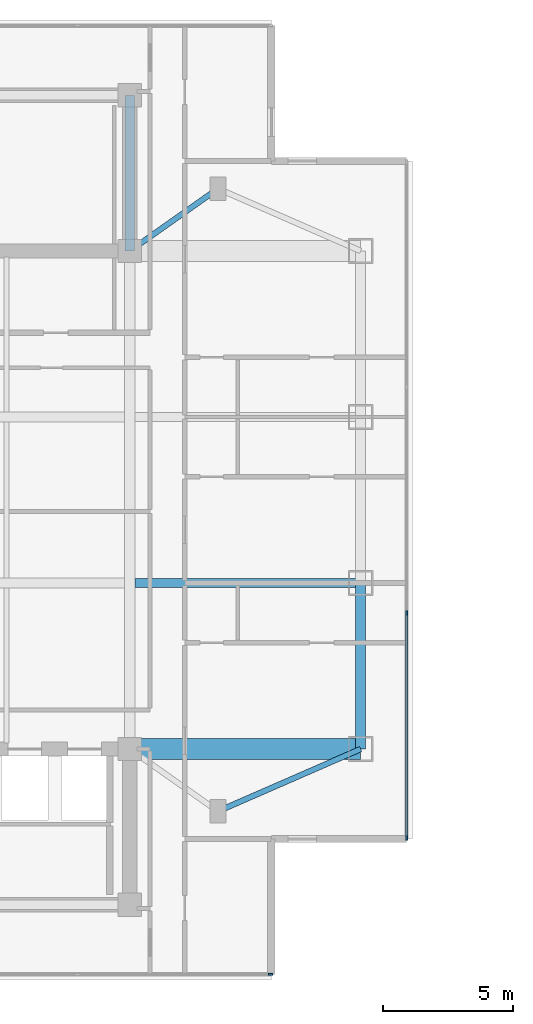
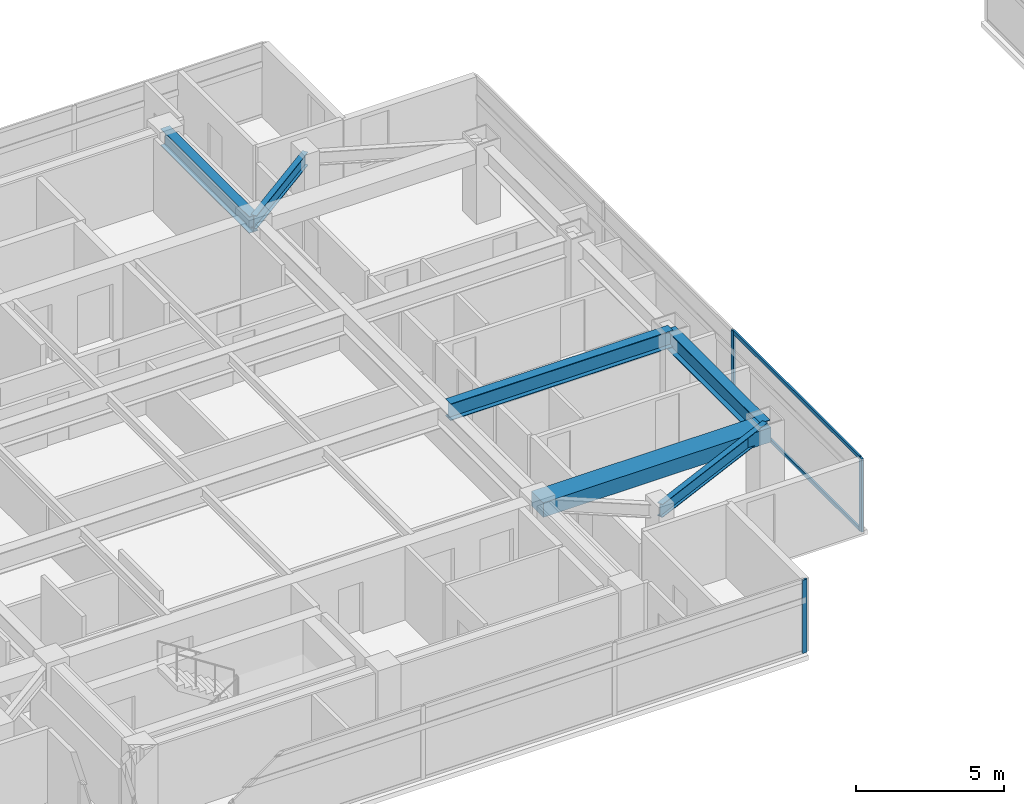
# One storey, part 4 of 24: 6 beams, 5 members, 2 elements without a shape of their own.
"""IFC4 building model written with IfcOpenShell, lengths in metres."""

from ifc_helpers import new_model, si_unit, direction, frame, origin, origin_2d, place, context, subcontext, project, spatial, rectangle, i_section, extrude, material, material_profile, profile_set, type_object, element, aggregate, save


model = new_model("IFC4")

# Units and contexts
model_context = context("Model", 3, precision=1e-05, world=origin(), true_north=direction((0.0, 1.0)))
body_context = subcontext(model_context, "Body", "Model", "MODEL_VIEW")
ifc_project = project(units=[si_unit("LENGTHUNIT", "METRE"), si_unit("AREAUNIT", "SQUARE_METRE"), si_unit("VOLUMEUNIT", "CUBIC_METRE"), si_unit("PLANEANGLEUNIT", "RADIAN"), si_unit("MASSUNIT", "GRAM", prefix="KILO")], contexts=[model_context])

# Site, building, storey
site_placement = place(None, origin())
site = spatial("IfcSite", under=ifc_project, at=site_placement, CompositionType="ELEMENT")
building_placement = place(site_placement, origin())
building = spatial("IfcBuilding", under=site, at=building_placement, Name="Mirazonda Arch Towers", CompositionType="ELEMENT")
storey_placement = place(building_placement, frame((0.0, 0.0, 193.39990234375)))
storey = spatial("IfcBuildingStorey", under=building, at=storey_placement, Name="L55", CompositionType="ELEMENT", Elevation=193.39990234375)

# Beams
ifc_material_1 = material(Name="Steel ASTM A992 Grade 50", Category="steel")
ifc_material_profile_1 = material_profile(ifc_material_1, i_section(OverallWidth=0.381103515625, OverallDepth=0.77294921875, WebThickness=0.0166015625, FlangeThickness=0.027099609375, at=origin_2d()), Name="W30X173")
ifc_profile_set_1 = profile_set([ifc_material_profile_1], Name="Steel ASTM A992 Grade 50")
beam_type_1 = type_object("IfcBeamType", Name="BM-EXT-W30X173", PredefinedType="USERDEFINED", material=ifc_profile_set_1)
beam_1_placement = place(storey_placement, frame((38.89990234375, 18.39990234375, 2.66357421875), z_axis=(0.0, 1.0, 0.0), x_axis=(-1.0, 0.0, 0.0)))
element("IfcBeam", 1, at=beam_1_placement, inside=storey, type_object=beam_type_1, Name="L55 Floor Beam BM-T1-L55-NS-E-18", ObjectType="GIRDER", PredefinedType="USERDEFINED", context=body_context, shape_type="SweptSolid", body=[
    extrude(i_section(OverallWidth=0.381103515625, OverallDepth=0.77294921875, WebThickness=0.0166015625, FlangeThickness=0.027099609375, at=origin_2d()), origin(), (0.0, 0.0, 1.0), 6.400146484375),
])
ifc_material_profile_2 = material_profile(ifc_material_1, i_section(OverallWidth=0.214111328125, OverallDepth=0.549072265625, WebThickness=0.0146484375, FlangeThickness=0.023681640625, at=origin_2d()), Name="W21X93")
ifc_profile_set_2 = profile_set([ifc_material_profile_2], Name="Steel ASTM A992 Grade 50")
beam_type_2 = type_object("IfcBeamType", Name="BM-INT-W21X93", PredefinedType="BEAM", material=ifc_profile_set_2)
beam_2_placement = place(storey_placement, frame((33.39990234375, 16.0, 2.775634765625), z_axis=(0.916545343703, 0.399930785183, 0.0), x_axis=(-0.399930785183, 0.916545343703, 0.0)))
element("IfcBeam", 2, at=beam_2_placement, inside=storey, type_object=beam_type_2, Name="L55 Floor Beam BM-T1-L55-PL-SE2", PredefinedType="BEAM", context=body_context, shape_type="SweptSolid", body=[
    extrude(i_section(OverallWidth=0.214111328125, OverallDepth=0.549072265625, WebThickness=0.0146484375, FlangeThickness=0.023681640625, at=origin_2d()), origin(), (0.0, 0.0, 1.0), 6.000732421875),
])
beam_3_placement = place(storey_placement, frame((33.39990234375, 40.0, 2.775634765625), z_axis=(-0.816971114901, -0.576678591087, 0.0), x_axis=(0.576678591087, -0.816971114901, 0.0)))
element("IfcBeam", 3, at=beam_3_placement, inside=storey, type_object=beam_type_2, Name="L55 Floor Beam BM-T1-L55-PL-NE1", PredefinedType="BEAM", context=body_context, shape_type="SweptSolid", body=[
    extrude(i_section(OverallWidth=0.214111328125, OverallDepth=0.549072265625, WebThickness=0.0146484375, FlangeThickness=0.023681640625, at=origin_2d()), origin(), (0.0, 0.0, 1.0), 4.16162109375),
])
ifc_material_profile_3 = material_profile(ifc_material_1, i_section(OverallWidth=0.35498046875, OverallDepth=0.696044921875, WebThickness=0.015380859375, FlangeThickness=0.02490234375, at=origin_2d()), Name="W27X146")
ifc_profile_set_3 = profile_set([ifc_material_profile_3], Name="Steel ASTM A992 Grade 50")
beam_type_3 = type_object("IfcBeamType", Name="BM-INT-W27X146", PredefinedType="BEAM", material=ifc_profile_set_3)
beam_4_placement = place(storey_placement, frame((30.199951171875, 24.800048828125, 2.7021484375), z_axis=(1.0, 0.0, 0.0), x_axis=(0.0, 1.0, 0.0)))
element("IfcBeam", 4, at=beam_4_placement, inside=storey, type_object=beam_type_3, Name="L55 Floor Beam BM-T1-L55-GE2", PredefinedType="BEAM", context=body_context, shape_type="SweptSolid", body=[
    extrude(i_section(OverallWidth=0.35498046875, OverallDepth=0.696044921875, WebThickness=0.015380859375, FlangeThickness=0.02490234375, at=origin_2d()), origin(), (0.0, 0.0, 1.0), 8.699951171875),
])
beam_5_placement = place(storey_placement, frame((30.0, 37.60009765625, 2.7021484375), z_axis=(0.0, 1.0, 0.0), x_axis=(-1.0, 0.0, 0.0)))
element("IfcBeam", 5, at=beam_5_placement, inside=storey, type_object=beam_type_3, Name="L55 Floor Beam BM-T1-L55-CNE", PredefinedType="BEAM", context=body_context, shape_type="SweptSolid", body=[
    extrude(i_section(OverallWidth=0.35498046875, OverallDepth=0.696044921875, WebThickness=0.015380859375, FlangeThickness=0.02490234375, at=origin_2d()), origin(), (0.0, 0.0, 1.0), 6.0),
])
ifc_material_2 = material(Name="Concrete C60/75", Category="concrete")
ifc_material_profile_4 = material_profile(ifc_material_2, rectangle(XDim=0.800048828125, YDim=0.60009765625, at=origin_2d()), Name="RCCB800x600")
ifc_profile_set_4 = profile_set([ifc_material_profile_4], Name="Concrete C60/75")
beam_type_4 = type_object("IfcBeamType", Name="CB-INT-RCCB800x600", PredefinedType="SPANDREL", material=ifc_profile_set_4)
beam_6_placement = place(storey_placement, frame((30.0, 18.39990234375, 2.75), z_axis=(1.0, 0.0, 0.0), x_axis=(0.0, 1.0, 0.0)))
element("IfcBeam", 6, at=beam_6_placement, inside=storey, type_object=beam_type_4, Name="L55 Floor Beam CBC-T1-L55-SE", PredefinedType="SPANDREL", context=body_context, shape_type="SweptSolid", body=[
    extrude(rectangle(XDim=0.800048828125, YDim=0.60009765625, at=origin_2d()), origin(), (0.0, 0.0, 1.0), 8.89990234375),
])

# Curtain wall, member
ifc_material_3 = material(Name="Anodised Aluminium and Low-E Glass", Category="aluminium")
curtain_wall_type = type_object("IfcCurtainWallType", Name="CW-RES-UNIT", PredefinedType="NOTDEFINED", material=ifc_material_3)
curtain_wall_1_placement = place(storey_placement, origin())
curtain_wall_1 = element("IfcCurtainWall", 7, at=curtain_wall_1_placement, inside=storey, type_object=curtain_wall_type, Name="L55 T1 S Facade CW-L55-T1-S", PredefinedType="NOTDEFINED")
ifc_material_4 = material(Name="Anodised Aluminium Alloy", Category="aluminium")
ifc_material_profile_5 = material_profile(ifc_material_4, rectangle(XDim=0.074951171875, YDim=0.175048828125, at=origin_2d()), Name="ALU-MULL-75x175")
ifc_profile_set_5 = profile_set([ifc_material_profile_5], Name="Anodised Aluminium Alloy")
member_type_1 = type_object("IfcMemberType", Name="MULL-CW-RES-UNIT", PredefinedType="MULLION", material=ifc_profile_set_5)
member_1_placement = place(storey_placement, frame((35.41748046875, 9.716064453125, 0.0), z_axis=(0.0, 0.0, 1.0), x_axis=(0.0, -1.0, 0.0)))
member_1 = element("IfcMember", 8, at=member_1_placement, type_object=member_type_1, Name="CW-104 mullion 1", PredefinedType="MULLION", context=body_context, shape_type="SweptSolid", body=[
    extrude(rectangle(XDim=0.074951171875, YDim=0.175048828125, at=origin_2d()), origin(), (0.0, 0.0, 1.0), 3.030029296875),
])
aggregate(curtain_wall_1, [member_1])

# Curtain wall, members
curtain_wall_2_placement = place(storey_placement, origin())
curtain_wall_2 = element("IfcCurtainWall", 9, at=curtain_wall_2_placement, inside=storey, type_object=curtain_wall_type, Name="L55 T1 E Facade CW-L55-T1-E", PredefinedType="NOTDEFINED")
member_2_placement = place(storey_placement, frame((40.669921875, 14.968505859375, 0.0), z_axis=(0.0, 0.0, 1.0), x_axis=(-1.0, 0.0, 0.0)))
member_2 = element("IfcMember", 10, at=member_2_placement, type_object=member_type_1, Name="CW-104 mullion 1", PredefinedType="MULLION", context=body_context, shape_type="SweptSolid", body=[
    extrude(rectangle(XDim=0.074951171875, YDim=0.175048828125, at=origin_2d()), origin(), (0.0, 0.0, 1.0), 3.030029296875),
])
member_3_placement = place(storey_placement, frame((40.669921875, 23.6435546875, 0.0), z_axis=(0.0, 0.0, 1.0), x_axis=(-1.0, 0.0, 0.0)))
member_3 = element("IfcMember", 11, at=member_3_placement, type_object=member_type_1, Name="CW-104 mullion 2", PredefinedType="MULLION", context=body_context, shape_type="SweptSolid", body=[
    extrude(rectangle(XDim=0.074951171875, YDim=0.175048828125, at=origin_2d()), origin(), (0.0, 0.0, 1.0), 3.030029296875),
])
ifc_material_profile_6 = material_profile(ifc_material_4, rectangle(XDim=0.074951171875, YDim=0.155029296875, at=origin_2d()), Name="ALU-TRAN-75x155")
ifc_profile_set_6 = profile_set([ifc_material_profile_6], Name="Anodised Aluminium Alloy")
member_type_2 = type_object("IfcMemberType", Name="TRAN-CW-RES-UNIT", PredefinedType="USERDEFINED", material=ifc_profile_set_6)
member_4_placement = place(storey_placement, frame((40.669921875, 15.006103515625, 0.03759765625), z_axis=(0.0, 1.0, 0.0), x_axis=(-1.0, 0.0, 0.0)))
member_4 = element("IfcMember", 12, at=member_4_placement, type_object=member_type_2, Name="CW-104 transom 1.1", ObjectType="TRANSOM", PredefinedType="USERDEFINED", context=body_context, shape_type="SweptSolid", body=[
    extrude(rectangle(XDim=0.074951171875, YDim=0.155029296875, at=origin_2d()), origin(), (0.0, 0.0, 1.0), 8.60009765625),
])
member_5_placement = place(storey_placement, frame((40.669921875, 15.006103515625, 2.99267578125), z_axis=(0.0, 1.0, 0.0), x_axis=(-1.0, 0.0, 0.0)))
member_5 = element("IfcMember", 13, at=member_5_placement, type_object=member_type_2, Name="CW-104 transom 1.2", ObjectType="TRANSOM", PredefinedType="USERDEFINED", context=body_context, shape_type="SweptSolid", body=[
    extrude(rectangle(XDim=0.074951171875, YDim=0.155029296875, at=origin_2d()), origin(), (0.0, 0.0, 1.0), 8.60009765625),
])
aggregate(curtain_wall_2, [member_2, member_3, member_4, member_5])

save(model, "model.ifc")
